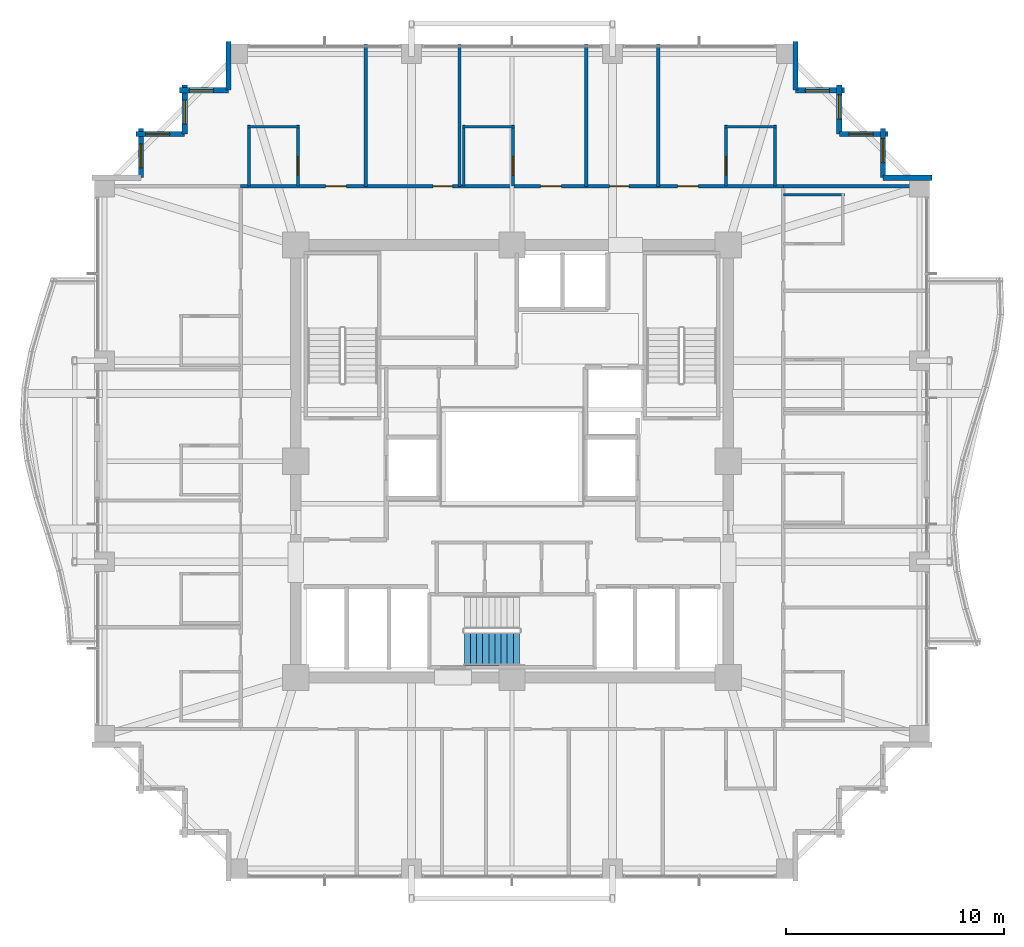
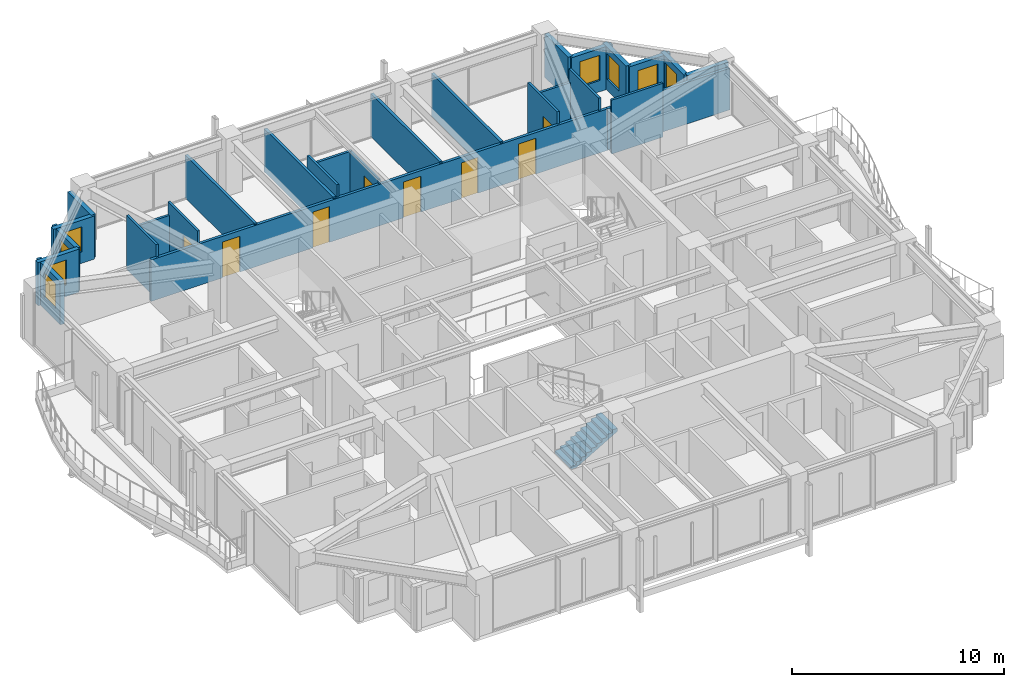
# One storey, part 34 of 37: 27 walls, 8 doors, 8 windows, 1 stair flight, 16 openings, 1 element without a shape of its own.
"""IFC4 building model written with IfcOpenShell, lengths in metres."""

from ifc_helpers import new_model, si_unit, direction, frame, frame_2d, origin, place, context, subcontext, project, spatial, polyline, rectangle, outline, extrude, material, layer, layer_set, type_object, element, fill, aggregate, save


model = new_model("IFC4")

# Units and contexts
model_context = context("Model", 3, precision=1e-05, world=origin(), true_north=direction((0.0, 1.0)))
body_context = subcontext(model_context, "Body", "Model", "MODEL_VIEW")
ifc_project = project(units=[si_unit("LENGTHUNIT", "METRE"), si_unit("AREAUNIT", "SQUARE_METRE"), si_unit("VOLUMEUNIT", "CUBIC_METRE"), si_unit("PLANEANGLEUNIT", "RADIAN"), si_unit("MASSUNIT", "GRAM", prefix="KILO")], contexts=[model_context])

# Site, building, storey
site_placement = place(None, origin())
site = spatial("IfcSite", under=ifc_project, at=site_placement, CompositionType="ELEMENT")
building_placement = place(site_placement, origin())
building = spatial("IfcBuilding", under=site, at=building_placement, Name="Kolvaren Belvedere", CompositionType="ELEMENT")
storey_placement = place(building_placement, frame((0.0, 0.0, 156.89990234375)))
storey = spatial("IfcBuildingStorey", under=building, at=storey_placement, Name="L45", CompositionType="ELEMENT", Elevation=156.89990234375)

# Wall, openings, doors
ifc_material_1 = material(Name="Gypsum fire-rated partition assembly", Category="gypsum")
ifc_layer_1 = layer(ifc_material_1, 0.14990234375)
ifc_layer_set_1 = layer_set([ifc_layer_1], Name="Gypsum fire-rated partition assembly")
wall_type_1 = type_object("IfcWallType", Name="WL-CORR-150", PredefinedType="PARTITIONING", material=ifc_layer_set_1)
wall_1_placement = place(storey_placement, frame((-12.419921875, 12.580078125, 0.0), z_axis=(0.0, 0.0, 1.0), x_axis=(1.0, 0.0, 0.0)))
wall_1 = element("IfcWall", 1, at=wall_1_placement, inside=storey, type_object=wall_type_1, Name="L45 North Corridor Wall", PredefinedType="PARTITIONING", context=body_context, shape_type="SweptSolid", body=[
    extrude(rectangle(XDim=24.83984375, YDim=0.14990234375, at=frame_2d((12.419921875, 0.0))), origin(), (0.0, 0.0, 1.0), 2.38916015625),
])
opening_1_placement = place(wall_1_placement, frame((3.89013671875, 0.0, 0.0)))
opening_1 = element("IfcOpeningElement", 2, at=opening_1_placement, cuts=wall_1, Name="Opening D-FD60", PredefinedType="OPENING", context=body_context, shape_type="SweptSolid", body=[
    extrude(rectangle(XDim=0.949951171875, YDim=2.06005859375, at=frame_2d((0.47509765625, 1.030029296875))), frame((0.0, 0.0849609375, 0.0), z_axis=(0.0, -1.0, 0.0), x_axis=(1.0, 0.0, 0.0)), (0.0, 0.0, 1.0), 0.169921875),
])
opening_2_placement = place(wall_1_placement, frame((8.8056640625, 0.0, 0.0)))
opening_2 = element("IfcOpeningElement", 3, at=opening_2_placement, cuts=wall_1, Name="Opening D-INT90", PredefinedType="OPENING", context=body_context, shape_type="SweptSolid", body=[
    extrude(rectangle(XDim=0.89990234375, YDim=2.06005859375, at=frame_2d((0.449951171875, 1.030029296875))), frame((0.0, 0.0849609375, 0.0), z_axis=(0.0, -1.0, 0.0), x_axis=(1.0, 0.0, 0.0)), (0.0, 0.0, 1.0), 0.169921875),
])
opening_3_placement = place(wall_1_placement, frame((13.724365234375, 0.0, 0.0)))
opening_3 = element("IfcOpeningElement", 4, at=opening_3_placement, cuts=wall_1, Name="Opening D-FD60", PredefinedType="OPENING", context=body_context, shape_type="SweptSolid", body=[
    extrude(rectangle(XDim=0.949951171875, YDim=2.06005859375, at=frame_2d((0.47509765625, 1.030029296875))), frame((0.0, 0.0849609375, 0.0), z_axis=(0.0, -1.0, 0.0), x_axis=(1.0, 0.0, 0.0)), (0.0, 0.0, 1.0), 0.169921875),
])
opening_4_placement = place(wall_1_placement, frame((16.88623046875, 0.0, 0.0)))
opening_4 = element("IfcOpeningElement", 5, at=opening_4_placement, cuts=wall_1, Name="Opening D-INT90", PredefinedType="OPENING", context=body_context, shape_type="SweptSolid", body=[
    extrude(rectangle(XDim=0.89990234375, YDim=2.06005859375, at=frame_2d((0.449951171875, 1.030029296875))), frame((0.0, 0.0849609375, 0.0), z_axis=(0.0, -1.0, 0.0), x_axis=(1.0, 0.0, 0.0)), (0.0, 0.0, 1.0), 0.169921875),
])
opening_5_placement = place(wall_1_placement, frame((20.0, 0.0, 0.0)))
opening_5 = element("IfcOpeningElement", 6, at=opening_5_placement, cuts=wall_1, Name="Opening D-FD60", PredefinedType="OPENING", context=body_context, shape_type="SweptSolid", body=[
    extrude(rectangle(XDim=0.949951171875, YDim=2.06005859375, at=frame_2d((0.47509765625, 1.030029296875))), frame((0.0, 0.0849609375, 0.0), z_axis=(0.0, -1.0, 0.0), x_axis=(1.0, 0.0, 0.0)), (0.0, 0.0, 1.0), 0.169921875),
])
ifc_material_2 = material(Name="Acoustic white-oak fire door leaf", Category="timber")
door_type_1 = type_object("IfcDoorType", Name="DR-FD60-950", OperationType="NOTDEFINED", PredefinedType="DOOR", material=ifc_material_2)
door_1_placement = place(opening_1_placement, origin())
door_1 = element("IfcDoor", 7, at=door_1_placement, inside=storey, type_object=door_type_1, Name="L45 King Guest Room 4514 Entry Door", OperationType="SINGLE_SWING_RIGHT", OverallHeight=2.06005859375, OverallWidth=0.949951171875, PredefinedType="DOOR", context=body_context, shape_type="SweptSolid", body=[
    extrude(rectangle(XDim=0.949951171875, YDim=2.06005859375, at=frame_2d((0.47509765625, 1.030029296875))), frame((0.0, 0.02490234375, 0.0), z_axis=(0.0, -1.0, 0.0), x_axis=(1.0, 0.0, 0.0)), (0.0, 0.0, 1.0), 0.050048828125),
])
fill(opening_1, door_1)
door_2_placement = place(opening_3_placement, origin())
door_2 = element("IfcDoor", 8, at=door_2_placement, inside=storey, type_object=door_type_1, Name="L45 King Guest Room 4516 Entry Door", OperationType="SINGLE_SWING_LEFT", OverallHeight=2.06005859375, OverallWidth=0.949951171875, PredefinedType="DOOR", context=body_context, shape_type="SweptSolid", body=[
    extrude(rectangle(XDim=0.949951171875, YDim=2.06005859375, at=frame_2d((0.47509765625, 1.030029296875))), frame((0.0, 0.02490234375, 0.0), z_axis=(0.0, -1.0, 0.0), x_axis=(1.0, 0.0, 0.0)), (0.0, 0.0, 1.0), 0.050048828125),
])
fill(opening_3, door_2)
door_3_placement = place(opening_5_placement, origin())
door_3 = element("IfcDoor", 9, at=door_3_placement, inside=storey, type_object=door_type_1, Name="L45 Botanical Hospitality Suite 4518 Entry Door", OperationType="SINGLE_SWING_RIGHT", OverallHeight=2.06005859375, OverallWidth=0.949951171875, PredefinedType="DOOR", context=body_context, shape_type="SweptSolid", body=[
    extrude(rectangle(XDim=0.949951171875, YDim=2.06005859375, at=frame_2d((0.47509765625, 1.030029296875))), frame((0.0, 0.02490234375, 0.0), z_axis=(0.0, -1.0, 0.0), x_axis=(1.0, 0.0, 0.0)), (0.0, 0.0, 1.0), 0.050048828125),
])
fill(opening_5, door_3)
ifc_material_3 = material(Name="Stained Pacific white oak", Category="timber")
door_type_2 = type_object("IfcDoorType", Name="DR-INT-900", OperationType="NOTDEFINED", PredefinedType="DOOR", material=ifc_material_3)
door_4_placement = place(opening_2_placement, origin())
door_4 = element("IfcDoor", 10, at=door_4_placement, inside=storey, type_object=door_type_2, Name="L45 Lounge 4515 Door", OperationType="SINGLE_SWING_LEFT", OverallHeight=2.06005859375, OverallWidth=0.89990234375, PredefinedType="DOOR", context=body_context, shape_type="SweptSolid", body=[
    extrude(rectangle(XDim=0.89990234375, YDim=2.06005859375, at=frame_2d((0.449951171875, 1.030029296875))), frame((0.0, 0.02490234375, 0.0), z_axis=(0.0, -1.0, 0.0), x_axis=(1.0, 0.0, 0.0)), (0.0, 0.0, 1.0), 0.050048828125),
])
fill(opening_2, door_4)
door_5_placement = place(opening_4_placement, origin())
door_5 = element("IfcDoor", 11, at=door_5_placement, inside=storey, type_object=door_type_2, Name="L45 Lounge 4517 Door", OperationType="SINGLE_SWING_RIGHT", OverallHeight=2.06005859375, OverallWidth=0.89990234375, PredefinedType="DOOR", context=body_context, shape_type="SweptSolid", body=[
    extrude(rectangle(XDim=0.89990234375, YDim=2.06005859375, at=frame_2d((0.449951171875, 1.030029296875))), frame((0.0, 0.02490234375, 0.0), z_axis=(0.0, -1.0, 0.0), x_axis=(1.0, 0.0, 0.0)), (0.0, 0.0, 1.0), 0.050048828125),
])
fill(opening_4, door_5)

# Wall
ifc_material_4 = material(Name="Insulated pale-metal facade wall assembly", Category="aluminium")
ifc_layer_2 = layer(ifc_material_4, 0.239990234375)
ifc_layer_set_2 = layer_set([ifc_layer_2], Name="Insulated pale-metal facade wall assembly")
wall_type_2 = type_object("IfcWallType", Name="WL-EXT-240", PredefinedType="STANDARD", material=ifc_layer_set_2)
wall_2_placement = place(storey_placement, frame((16.97998046875, 12.97998046875, 0.0), z_axis=(0.0, 0.0, 1.0), x_axis=(1.0, 0.0, 0.0)))
element("IfcWall", 12, at=wall_2_placement, inside=storey, type_object=wall_type_2, Name="L45 Serrated Corner Facade Wall 9", PredefinedType="STANDARD", context=body_context, shape_type="SweptSolid", body=[
    extrude(rectangle(XDim=2.239990234375, YDim=0.239990234375, at=frame_2d((1.1201171875, 0.0))), origin(), (0.0, 0.0, 1.0), 2.483154296875),
])

# Wall, opening, window
wall_3_placement = place(storey_placement, frame((16.97998046875, 15.219970703125, 0.0), z_axis=(0.0, 0.0, 1.0), x_axis=(0.0, -1.0, 0.0)))
wall_3 = element("IfcWall", 13, at=wall_3_placement, inside=storey, type_object=wall_type_2, Name="L45 Serrated Corner Facade Wall 10", PredefinedType="STANDARD", context=body_context, shape_type="SweptSolid", body=[
    extrude(rectangle(XDim=2.239990234375, YDim=0.239990234375, at=frame_2d((1.1201171875, 0.0))), origin(), (0.0, 0.0, 1.0), 2.483154296875),
])
opening_6_placement = place(wall_3_placement, frame((0.449951171875, 0.0, 0.64990234375)))
opening_6 = element("IfcOpeningElement", 14, at=opening_6_placement, cuts=wall_3, Name="Opening W-1100", PredefinedType="OPENING", context=body_context, shape_type="SweptSolid", body=[
    extrude(rectangle(XDim=1.10009765625, YDim=1.449951171875, at=frame_2d((0.550048828125, 0.72509765625))), frame((0.0, 0.1298828125, 0.0), z_axis=(0.0, -1.0, 0.0), x_axis=(1.0, 0.0, 0.0)), (0.0, 0.0, 1.0), 0.260009765625),
])
ifc_material_5 = material(Name="Low-iron triple insulated glass", Category="glass")
window_type = type_object("IfcWindowType", Name="WN-CORN-1100", PartitioningType="SINGLE_PANEL", PredefinedType="WINDOW", material=ifc_material_5)
window_1_placement = place(opening_6_placement, origin())
window_1 = element("IfcWindow", 15, at=window_1_placement, inside=storey, type_object=window_type, Name="L45 Serrated Corner Vision Window 10", OverallHeight=1.449951171875, OverallWidth=1.10009765625, PartitioningType="SINGLE_PANEL", PredefinedType="WINDOW", context=body_context, shape_type="SweptSolid", body=[
    extrude(rectangle(XDim=1.10009765625, YDim=1.449951171875, at=frame_2d((0.550048828125, 0.72509765625))), frame((0.0, 0.030029296875, 0.0), z_axis=(0.0, -1.0, 0.0), x_axis=(1.0, 0.0, 0.0)), (0.0, 0.0, 1.0), 0.06005859375),
])
fill(opening_6, window_1)

wall_4_placement = place(storey_placement, frame((14.97998046875, 14.97998046875, 0.0), z_axis=(0.0, 0.0, 1.0), x_axis=(1.0, 0.0, 0.0)))
wall_4 = element("IfcWall", 16, at=wall_4_placement, inside=storey, type_object=wall_type_2, Name="L45 Serrated Corner Facade Wall 11", PredefinedType="STANDARD", context=body_context, shape_type="SweptSolid", body=[
    extrude(rectangle(XDim=2.239990234375, YDim=0.239990234375, at=frame_2d((1.1201171875, 0.0))), origin(), (0.0, 0.0, 1.0), 2.483154296875),
])
opening_7_placement = place(wall_4_placement, frame((0.449951171875, 0.0, 0.64990234375)))
opening_7 = element("IfcOpeningElement", 17, at=opening_7_placement, cuts=wall_4, Name="Opening W-1100", PredefinedType="OPENING", context=body_context, shape_type="SweptSolid", body=[
    extrude(rectangle(XDim=1.10009765625, YDim=1.449951171875, at=frame_2d((0.550048828125, 0.72509765625))), frame((0.0, 0.1298828125, 0.0), z_axis=(0.0, -1.0, 0.0), x_axis=(1.0, 0.0, 0.0)), (0.0, 0.0, 1.0), 0.260009765625),
])
window_2_placement = place(opening_7_placement, origin())
window_2 = element("IfcWindow", 18, at=window_2_placement, inside=storey, type_object=window_type, Name="L45 Serrated Corner Vision Window 11", OverallHeight=1.449951171875, OverallWidth=1.10009765625, PartitioningType="SINGLE_PANEL", PredefinedType="WINDOW", context=body_context, shape_type="SweptSolid", body=[
    extrude(rectangle(XDim=1.10009765625, YDim=1.449951171875, at=frame_2d((0.550048828125, 0.72509765625))), frame((0.0, 0.030029296875, 0.0), z_axis=(0.0, -1.0, 0.0), x_axis=(1.0, 0.0, 0.0)), (0.0, 0.0, 1.0), 0.06005859375),
])
fill(opening_7, window_2)

wall_5_placement = place(storey_placement, frame((14.97998046875, 17.219970703125, 0.0), z_axis=(0.0, 0.0, 1.0), x_axis=(0.0, -1.0, 0.0)))
wall_5 = element("IfcWall", 19, at=wall_5_placement, inside=storey, type_object=wall_type_2, Name="L45 Serrated Corner Facade Wall 12", PredefinedType="STANDARD", context=body_context, shape_type="SweptSolid", body=[
    extrude(rectangle(XDim=2.239990234375, YDim=0.239990234375, at=frame_2d((1.1201171875, 0.0))), origin(), (0.0, 0.0, 1.0), 2.483154296875),
])
opening_8_placement = place(wall_5_placement, frame((0.449951171875, 0.0, 0.64990234375)))
opening_8 = element("IfcOpeningElement", 20, at=opening_8_placement, cuts=wall_5, Name="Opening W-1100", PredefinedType="OPENING", context=body_context, shape_type="SweptSolid", body=[
    extrude(rectangle(XDim=1.10009765625, YDim=1.449951171875, at=frame_2d((0.550048828125, 0.72509765625))), frame((0.0, 0.1298828125, 0.0), z_axis=(0.0, -1.0, 0.0), x_axis=(1.0, 0.0, 0.0)), (0.0, 0.0, 1.0), 0.260009765625),
])
window_3_placement = place(opening_8_placement, origin())
window_3 = element("IfcWindow", 21, at=window_3_placement, inside=storey, type_object=window_type, Name="L45 Serrated Corner Vision Window 12", OverallHeight=1.449951171875, OverallWidth=1.10009765625, PartitioningType="SINGLE_PANEL", PredefinedType="WINDOW", context=body_context, shape_type="SweptSolid", body=[
    extrude(rectangle(XDim=1.10009765625, YDim=1.449951171875, at=frame_2d((0.550048828125, 0.72509765625))), frame((0.0, 0.030029296875, 0.0), z_axis=(0.0, -1.0, 0.0), x_axis=(1.0, 0.0, 0.0)), (0.0, 0.0, 1.0), 0.06005859375),
])
fill(opening_8, window_3)

wall_6_placement = place(storey_placement, frame((12.97998046875, 16.97998046875, 0.0), z_axis=(0.0, 0.0, 1.0), x_axis=(1.0, 0.0, 0.0)))
wall_6 = element("IfcWall", 22, at=wall_6_placement, inside=storey, type_object=wall_type_2, Name="L45 Serrated Corner Facade Wall 13", PredefinedType="STANDARD", context=body_context, shape_type="SweptSolid", body=[
    extrude(rectangle(XDim=2.239990234375, YDim=0.239990234375, at=frame_2d((1.1201171875, 0.0))), origin(), (0.0, 0.0, 1.0), 2.483154296875),
])
opening_9_placement = place(wall_6_placement, frame((0.449951171875, 0.0, 0.64990234375)))
opening_9 = element("IfcOpeningElement", 23, at=opening_9_placement, cuts=wall_6, Name="Opening W-1100", PredefinedType="OPENING", context=body_context, shape_type="SweptSolid", body=[
    extrude(rectangle(XDim=1.10009765625, YDim=1.449951171875, at=frame_2d((0.550048828125, 0.72509765625))), frame((0.0, 0.1298828125, 0.0), z_axis=(0.0, -1.0, 0.0), x_axis=(1.0, 0.0, 0.0)), (0.0, 0.0, 1.0), 0.260009765625),
])
window_4_placement = place(opening_9_placement, origin())
window_4 = element("IfcWindow", 24, at=window_4_placement, inside=storey, type_object=window_type, Name="L45 Serrated Corner Vision Window 13", OverallHeight=1.449951171875, OverallWidth=1.10009765625, PartitioningType="SINGLE_PANEL", PredefinedType="WINDOW", context=body_context, shape_type="SweptSolid", body=[
    extrude(rectangle(XDim=1.10009765625, YDim=1.449951171875, at=frame_2d((0.550048828125, 0.72509765625))), frame((0.0, 0.030029296875, 0.0), z_axis=(0.0, -1.0, 0.0), x_axis=(1.0, 0.0, 0.0)), (0.0, 0.0, 1.0), 0.06005859375),
])
fill(opening_9, window_4)

# Walls
for number, where, z_axis, x_axis, name in (
    (25, (12.97998046875, 19.219970703125, 0.0), (0.0, 0.0, 1.0), (0.0, -1.0, 0.0), "L45 Serrated Corner Facade Wall 14"),
    (26, (-12.97998046875, 16.97998046875, 0.0), (0.0, 0.0, 1.0), (0.0, 1.0, 0.0), "L45 Serrated Corner Facade Wall 16"),
):
    element("IfcWall", number, at=place(storey_placement, frame(where, z_axis=z_axis, x_axis=x_axis)), inside=storey, type_object=wall_type_2, Name=name, PredefinedType="STANDARD", context=body_context, shape_type="SweptSolid", body=[
        extrude(rectangle(XDim=2.239990234375, YDim=0.239990234375, at=frame_2d((1.1201171875, 0.0))), origin(), (0.0, 0.0, 1.0), 2.483154296875),
    ])

# Wall, opening, window
wall_7_placement = place(storey_placement, frame((-15.219970703125, 16.97998046875, 0.0), z_axis=(0.0, 0.0, 1.0), x_axis=(1.0, 0.0, 0.0)))
wall_7 = element("IfcWall", 27, at=wall_7_placement, inside=storey, type_object=wall_type_2, Name="L45 Serrated Corner Facade Wall 17", PredefinedType="STANDARD", context=body_context, shape_type="SweptSolid", body=[
    extrude(rectangle(XDim=2.239990234375, YDim=0.239990234375, at=frame_2d((1.1201171875, 0.0))), origin(), (0.0, 0.0, 1.0), 2.483154296875),
])
opening_10_placement = place(wall_7_placement, frame((0.449951171875, 0.0, 0.64990234375)))
opening_10 = element("IfcOpeningElement", 28, at=opening_10_placement, cuts=wall_7, Name="Opening W-1100", PredefinedType="OPENING", context=body_context, shape_type="SweptSolid", body=[
    extrude(rectangle(XDim=1.10009765625, YDim=1.449951171875, at=frame_2d((0.550048828125, 0.72509765625))), frame((0.0, 0.1298828125, 0.0), z_axis=(0.0, -1.0, 0.0), x_axis=(1.0, 0.0, 0.0)), (0.0, 0.0, 1.0), 0.260009765625),
])
window_5_placement = place(opening_10_placement, origin())
window_5 = element("IfcWindow", 29, at=window_5_placement, inside=storey, type_object=window_type, Name="L45 Serrated Corner Vision Window 17", OverallHeight=1.449951171875, OverallWidth=1.10009765625, PartitioningType="SINGLE_PANEL", PredefinedType="WINDOW", context=body_context, shape_type="SweptSolid", body=[
    extrude(rectangle(XDim=1.10009765625, YDim=1.449951171875, at=frame_2d((0.550048828125, 0.72509765625))), frame((0.0, 0.030029296875, 0.0), z_axis=(0.0, -1.0, 0.0), x_axis=(1.0, 0.0, 0.0)), (0.0, 0.0, 1.0), 0.06005859375),
])
fill(opening_10, window_5)

wall_8_placement = place(storey_placement, frame((-14.97998046875, 14.97998046875, 0.0), z_axis=(0.0, 0.0, 1.0), x_axis=(0.0, 1.0, 0.0)))
wall_8 = element("IfcWall", 30, at=wall_8_placement, inside=storey, type_object=wall_type_2, Name="L45 Serrated Corner Facade Wall 18", PredefinedType="STANDARD", context=body_context, shape_type="SweptSolid", body=[
    extrude(rectangle(XDim=2.239990234375, YDim=0.239990234375, at=frame_2d((1.1201171875, 0.0))), origin(), (0.0, 0.0, 1.0), 2.483154296875),
])
opening_11_placement = place(wall_8_placement, frame((0.449951171875, 0.0, 0.64990234375)))
opening_11 = element("IfcOpeningElement", 31, at=opening_11_placement, cuts=wall_8, Name="Opening W-1100", PredefinedType="OPENING", context=body_context, shape_type="SweptSolid", body=[
    extrude(rectangle(XDim=1.10009765625, YDim=1.449951171875, at=frame_2d((0.550048828125, 0.72509765625))), frame((0.0, 0.1298828125, 0.0), z_axis=(0.0, -1.0, 0.0), x_axis=(1.0, 0.0, 0.0)), (0.0, 0.0, 1.0), 0.260009765625),
])
window_6_placement = place(opening_11_placement, origin())
window_6 = element("IfcWindow", 32, at=window_6_placement, inside=storey, type_object=window_type, Name="L45 Serrated Corner Vision Window 18", OverallHeight=1.449951171875, OverallWidth=1.10009765625, PartitioningType="SINGLE_PANEL", PredefinedType="WINDOW", context=body_context, shape_type="SweptSolid", body=[
    extrude(rectangle(XDim=1.10009765625, YDim=1.449951171875, at=frame_2d((0.550048828125, 0.72509765625))), frame((0.0, 0.030029296875, 0.0), z_axis=(0.0, -1.0, 0.0), x_axis=(1.0, 0.0, 0.0)), (0.0, 0.0, 1.0), 0.06005859375),
])
fill(opening_11, window_6)

wall_9_placement = place(storey_placement, frame((-17.219970703125, 14.97998046875, 0.0), z_axis=(0.0, 0.0, 1.0), x_axis=(1.0, 0.0, 0.0)))
wall_9 = element("IfcWall", 33, at=wall_9_placement, inside=storey, type_object=wall_type_2, Name="L45 Serrated Corner Facade Wall 19", PredefinedType="STANDARD", context=body_context, shape_type="SweptSolid", body=[
    extrude(rectangle(XDim=2.239990234375, YDim=0.239990234375, at=frame_2d((1.1201171875, 0.0))), origin(), (0.0, 0.0, 1.0), 2.483154296875),
])
opening_12_placement = place(wall_9_placement, frame((0.449951171875, 0.0, 0.64990234375)))
opening_12 = element("IfcOpeningElement", 34, at=opening_12_placement, cuts=wall_9, Name="Opening W-1100", PredefinedType="OPENING", context=body_context, shape_type="SweptSolid", body=[
    extrude(rectangle(XDim=1.10009765625, YDim=1.449951171875, at=frame_2d((0.550048828125, 0.72509765625))), frame((0.0, 0.1298828125, 0.0), z_axis=(0.0, -1.0, 0.0), x_axis=(1.0, 0.0, 0.0)), (0.0, 0.0, 1.0), 0.260009765625),
])
window_7_placement = place(opening_12_placement, origin())
window_7 = element("IfcWindow", 35, at=window_7_placement, inside=storey, type_object=window_type, Name="L45 Serrated Corner Vision Window 19", OverallHeight=1.449951171875, OverallWidth=1.10009765625, PartitioningType="SINGLE_PANEL", PredefinedType="WINDOW", context=body_context, shape_type="SweptSolid", body=[
    extrude(rectangle(XDim=1.10009765625, YDim=1.449951171875, at=frame_2d((0.550048828125, 0.72509765625))), frame((0.0, 0.030029296875, 0.0), z_axis=(0.0, -1.0, 0.0), x_axis=(1.0, 0.0, 0.0)), (0.0, 0.0, 1.0), 0.06005859375),
])
fill(opening_12, window_7)

wall_10_placement = place(storey_placement, frame((-16.97998046875, 12.97998046875, 0.0), z_axis=(0.0, 0.0, 1.0), x_axis=(0.0, 1.0, 0.0)))
wall_10 = element("IfcWall", 36, at=wall_10_placement, inside=storey, type_object=wall_type_2, Name="L45 Serrated Corner Facade Wall 20", PredefinedType="STANDARD", context=body_context, shape_type="SweptSolid", body=[
    extrude(rectangle(XDim=2.239990234375, YDim=0.239990234375, at=frame_2d((1.1201171875, 0.0))), origin(), (0.0, 0.0, 1.0), 2.483154296875),
])
opening_13_placement = place(wall_10_placement, frame((0.449951171875, 0.0, 0.64990234375)))
opening_13 = element("IfcOpeningElement", 37, at=opening_13_placement, cuts=wall_10, Name="Opening W-1100", PredefinedType="OPENING", context=body_context, shape_type="SweptSolid", body=[
    extrude(rectangle(XDim=1.10009765625, YDim=1.449951171875, at=frame_2d((0.550048828125, 0.72509765625))), frame((0.0, 0.1298828125, 0.0), z_axis=(0.0, -1.0, 0.0), x_axis=(1.0, 0.0, 0.0)), (0.0, 0.0, 1.0), 0.260009765625),
])
window_8_placement = place(opening_13_placement, origin())
window_8 = element("IfcWindow", 38, at=window_8_placement, inside=storey, type_object=window_type, Name="L45 Serrated Corner Vision Window 20", OverallHeight=1.449951171875, OverallWidth=1.10009765625, PartitioningType="SINGLE_PANEL", PredefinedType="WINDOW", context=body_context, shape_type="SweptSolid", body=[
    extrude(rectangle(XDim=1.10009765625, YDim=1.449951171875, at=frame_2d((0.550048828125, 0.72509765625))), frame((0.0, 0.030029296875, 0.0), z_axis=(0.0, -1.0, 0.0), x_axis=(1.0, 0.0, 0.0)), (0.0, 0.0, 1.0), 0.06005859375),
])
fill(opening_13, window_8)

# Walls
ifc_material_6 = material(Name="Gypsum acoustic partition assembly", Category="gypsum")
ifc_layer_3 = layer(ifc_material_6, 0.14990234375)
ifc_layer_set_3 = layer_set([ifc_layer_3], Name="Gypsum acoustic partition assembly")
wall_type_3 = type_object("IfcWallType", Name="WL-PART-150", PredefinedType="PARTITIONING", material=ifc_layer_set_3)
wall_11_placement = place(storey_placement, frame((12.419921875, 12.580078125, 0.0), z_axis=(0.0, 0.0, 1.0), x_axis=(1.0, 0.0, 0.0)))
element("IfcWall", 39, at=wall_11_placement, inside=storey, type_object=wall_type_3, Name="L45 Wing Divider PW-L45-QNE", PredefinedType="PARTITIONING", context=body_context, shape_type="SweptSolid", body=[
    extrude(rectangle(XDim=6.66015625, YDim=0.14990234375, at=frame_2d((3.330078125, 0.0))), origin(), (0.0, 0.0, 1.0), 2.38916015625),
])
for number, where, z_axis, x_axis, name in (
    (40, (-6.699951171875, 12.580078125, 0.0), (0.0, 0.0, 1.0), (0.0, 1.0, 0.0), "L45 North Suite Demising Wall 1"),
    (41, (-2.39990234375, 12.580078125, 0.0), (0.0, 0.0, 1.0), (0.0, 1.0, 0.0), "L45 North Suite Demising Wall 2"),
    (42, (3.39990234375, 12.580078125, 0.0), (0.0, 0.0, 1.0), (0.0, 1.0, 0.0), "L45 North Suite Demising Wall 3"),
    (43, (6.699951171875, 12.580078125, 0.0), (0.0, 0.0, 1.0), (0.0, 1.0, 0.0), "L45 North Suite Demising Wall 4"),
):
    element("IfcWall", number, at=place(storey_placement, frame(where, z_axis=z_axis, x_axis=x_axis)), inside=storey, type_object=wall_type_3, Name=name, PredefinedType="PARTITIONING", context=body_context, shape_type="SweptSolid", body=[
        extrude(rectangle(XDim=6.5, YDim=0.14990234375, at=frame_2d((3.25, 0.0))), origin(), (0.0, 0.0, 1.0), 2.47314453125),
    ])
ifc_material_7 = material(Name="Moisture-resistant gypsum partition", Category="gypsum")
ifc_layer_4 = layer(ifc_material_7, 0.125)
ifc_layer_set_4 = layer_set([ifc_layer_4], Name="Moisture-resistant gypsum partition")
wall_type_4 = type_object("IfcWallType", Name="WL-WET-125", PredefinedType="PARTITIONING", material=ifc_layer_set_4)
wall_12_placement = place(storey_placement, frame((12.43505859375, 12.200927734375, 0.0), z_axis=(0.0, 0.0, 1.0), x_axis=(1.0, 0.0, 0.0)))
element("IfcWall", 44, at=wall_12_placement, inside=storey, type_object=wall_type_4, Name="L45 Bathroom Partition PW-L45-BTH-9-S", PredefinedType="PARTITIONING", context=body_context, shape_type="SweptSolid", body=[
    extrude(rectangle(XDim=2.7900390625, YDim=0.125, at=frame_2d((1.39501953125, 0.0))), origin(), (0.0, 0.0, 1.0), 3.10009765625),
])

# Wall, opening, door
wall_13_placement = place(storey_placement, frame((-9.791015625, 12.594970703125, 0.0), z_axis=(0.0, 0.0, 1.0), x_axis=(0.0, 1.0, 0.0)))
wall_13 = element("IfcWall", 45, at=wall_13_placement, inside=storey, type_object=wall_type_4, Name="L45 Bathroom Partition PW-L45-BTH-14-E", PredefinedType="PARTITIONING", context=body_context, shape_type="SweptSolid", body=[
    extrude(rectangle(XDim=2.7900390625, YDim=0.125, at=frame_2d((1.39501953125, 0.0))), origin(), (0.0, 0.0, 1.0), 3.10009765625),
])
opening_14_placement = place(wall_13_placement, frame((0.5, 0.0, 0.0)))
opening_14 = element("IfcOpeningElement", 46, at=opening_14_placement, cuts=wall_13, Name="Opening D-BTH85", PredefinedType="OPENING", context=body_context, shape_type="SweptSolid", body=[
    extrude(rectangle(XDim=0.85009765625, YDim=2.030029296875, at=frame_2d((0.425048828125, 1.01513671875))), frame((0.0, 0.072509765625, 0.0), z_axis=(0.0, -1.0, 0.0), x_axis=(1.0, 0.0, 0.0)), (0.0, 0.0, 1.0), 0.14501953125),
])
ifc_material_8 = material(Name="Moisture-sealed Pacific white oak", Category="timber")
door_type_3 = type_object("IfcDoorType", Name="DR-BATH-850", OperationType="NOTDEFINED", PredefinedType="DOOR", material=ifc_material_8)
door_6_placement = place(opening_14_placement, origin())
door_6 = element("IfcDoor", 47, at=door_6_placement, inside=storey, type_object=door_type_3, Name="L45 En-Suite Bathroom 4514 Door", OperationType="SINGLE_SWING_LEFT", OverallHeight=2.030029296875, OverallWidth=0.85009765625, PredefinedType="DOOR", context=body_context, shape_type="SweptSolid", body=[
    extrude(rectangle(XDim=0.85009765625, YDim=2.030029296875, at=frame_2d((0.425048828125, 1.01513671875))), frame((0.0, 0.02490234375, 0.0), z_axis=(0.0, -1.0, 0.0), x_axis=(1.0, 0.0, 0.0)), (0.0, 0.0, 1.0), 0.050048828125),
])
fill(opening_14, door_6)

# Walls
wall_14_placement = place(storey_placement, frame((-12.10107421875, 15.304931640625, 0.0), z_axis=(0.0, 0.0, 1.0), x_axis=(1.0, 0.0, 0.0)))
element("IfcWall", 48, at=wall_14_placement, inside=storey, type_object=wall_type_4, Name="L45 Bathroom Partition PW-L45-BTH-14-H", PredefinedType="PARTITIONING", context=body_context, shape_type="SweptSolid", body=[
    extrude(rectangle(XDim=2.3701171875, YDim=0.125, at=frame_2d((1.18505859375, 0.0))), origin(), (0.0, 0.0, 1.0), 2.38916015625),
])
wall_15_placement = place(storey_placement, frame((-12.041015625, 12.594970703125, 0.0), z_axis=(0.0, 0.0, 1.0), x_axis=(0.0, 1.0, 0.0)))
element("IfcWall", 49, at=wall_15_placement, inside=storey, type_object=wall_type_4, Name="L45 Bathroom Partition PW-L45-BTH-14-W", PredefinedType="PARTITIONING", context=body_context, shape_type="SweptSolid", body=[
    extrude(rectangle(XDim=2.7900390625, YDim=0.125, at=frame_2d((1.39501953125, 0.0))), origin(), (0.0, 0.0, 1.0), 3.10009765625),
])

# Wall, opening, door
wall_16_placement = place(storey_placement, frame((0.044921875, 12.594970703125, 0.0), z_axis=(0.0, 0.0, 1.0), x_axis=(0.0, 1.0, 0.0)))
wall_16 = element("IfcWall", 50, at=wall_16_placement, inside=storey, type_object=wall_type_4, Name="L45 Bathroom Partition PW-L45-BTH-16-E", PredefinedType="PARTITIONING", context=body_context, shape_type="SweptSolid", body=[
    extrude(rectangle(XDim=2.7900390625, YDim=0.125, at=frame_2d((1.39501953125, 0.0))), origin(), (0.0, 0.0, 1.0), 2.625),
])
opening_15_placement = place(wall_16_placement, frame((0.5, 0.0, 0.0)))
opening_15 = element("IfcOpeningElement", 51, at=opening_15_placement, cuts=wall_16, Name="Opening D-BTH85", PredefinedType="OPENING", context=body_context, shape_type="SweptSolid", body=[
    extrude(rectangle(XDim=0.85009765625, YDim=2.030029296875, at=frame_2d((0.425048828125, 1.01513671875))), frame((0.0, 0.072509765625, 0.0), z_axis=(0.0, -1.0, 0.0), x_axis=(1.0, 0.0, 0.0)), (0.0, 0.0, 1.0), 0.14501953125),
])
door_7_placement = place(opening_15_placement, origin())
door_7 = element("IfcDoor", 52, at=door_7_placement, inside=storey, type_object=door_type_3, Name="L45 En-Suite Bathroom 4516 Door", OperationType="SINGLE_SWING_RIGHT", OverallHeight=2.030029296875, OverallWidth=0.85009765625, PredefinedType="DOOR", context=body_context, shape_type="SweptSolid", body=[
    extrude(rectangle(XDim=0.85009765625, YDim=2.030029296875, at=frame_2d((0.425048828125, 1.01513671875))), frame((0.0, 0.02490234375, 0.0), z_axis=(0.0, -1.0, 0.0), x_axis=(1.0, 0.0, 0.0)), (0.0, 0.0, 1.0), 0.050048828125),
])
fill(opening_15, door_7)

# Walls
wall_17_placement = place(storey_placement, frame((-2.264892578125, 15.304931640625, 0.0), z_axis=(0.0, 0.0, 1.0), x_axis=(1.0, 0.0, 0.0)))
element("IfcWall", 53, at=wall_17_placement, inside=storey, type_object=wall_type_4, Name="L45 Bathroom Partition PW-L45-BTH-16-H", PredefinedType="PARTITIONING", context=body_context, shape_type="SweptSolid", body=[
    extrude(rectangle(XDim=2.369873046875, YDim=0.125, at=frame_2d((1.18505859375, 0.0))), origin(), (0.0, 0.0, 1.0), 2.625),
])
wall_18_placement = place(storey_placement, frame((-2.205078125, 12.594970703125, 0.0), z_axis=(0.0, 0.0, 1.0), x_axis=(0.0, 1.0, 0.0)))
element("IfcWall", 54, at=wall_18_placement, inside=storey, type_object=wall_type_4, Name="L45 Bathroom Partition PW-L45-BTH-16-W", PredefinedType="PARTITIONING", context=body_context, shape_type="SweptSolid", body=[
    extrude(rectangle(XDim=2.7900390625, YDim=0.125, at=frame_2d((1.39501953125, 0.0))), origin(), (0.0, 0.0, 1.0), 3.10009765625),
])

# Wall, opening, door
wall_19_placement = place(storey_placement, frame((9.791015625, 12.594970703125, 0.0), z_axis=(0.0, 0.0, 1.0), x_axis=(0.0, 1.0, 0.0)))
wall_19 = element("IfcWall", 55, at=wall_19_placement, inside=storey, type_object=wall_type_4, Name="L45 Bathroom Partition PW-L45-BTH-18-E", PredefinedType="PARTITIONING", context=body_context, shape_type="SweptSolid", body=[
    extrude(rectangle(XDim=2.7900390625, YDim=0.125, at=frame_2d((1.39501953125, 0.0))), origin(), (0.0, 0.0, 1.0), 3.10009765625),
])
opening_16_placement = place(wall_19_placement, frame((0.5, 0.0, 0.0)))
opening_16 = element("IfcOpeningElement", 56, at=opening_16_placement, cuts=wall_19, Name="Opening D-BTH85", PredefinedType="OPENING", context=body_context, shape_type="SweptSolid", body=[
    extrude(rectangle(XDim=0.85009765625, YDim=2.030029296875, at=frame_2d((0.425048828125, 1.01513671875))), frame((0.0, 0.072509765625, 0.0), z_axis=(0.0, -1.0, 0.0), x_axis=(1.0, 0.0, 0.0)), (0.0, 0.0, 1.0), 0.14501953125),
])
door_8_placement = place(opening_16_placement, origin())
door_8 = element("IfcDoor", 57, at=door_8_placement, inside=storey, type_object=door_type_3, Name="L45 En-Suite Bathroom 4518 Door", OperationType="SINGLE_SWING_LEFT", OverallHeight=2.030029296875, OverallWidth=0.85009765625, PredefinedType="DOOR", context=body_context, shape_type="SweptSolid", body=[
    extrude(rectangle(XDim=0.85009765625, YDim=2.030029296875, at=frame_2d((0.425048828125, 1.01513671875))), frame((0.0, 0.02490234375, 0.0), z_axis=(0.0, -1.0, 0.0), x_axis=(1.0, 0.0, 0.0)), (0.0, 0.0, 1.0), 0.050048828125),
])
fill(opening_16, door_8)

# Walls
wall_20_placement = place(storey_placement, frame((9.73095703125, 15.304931640625, 0.0), z_axis=(0.0, 0.0, 1.0), x_axis=(1.0, 0.0, 0.0)))
element("IfcWall", 58, at=wall_20_placement, inside=storey, type_object=wall_type_4, Name="L45 Bathroom Partition PW-L45-BTH-18-H", PredefinedType="PARTITIONING", context=body_context, shape_type="SweptSolid", body=[
    extrude(rectangle(XDim=2.3701171875, YDim=0.125, at=frame_2d((1.18505859375, 0.0))), origin(), (0.0, 0.0, 1.0), 2.38916015625),
])
wall_21_placement = place(storey_placement, frame((12.041015625, 12.594970703125, 0.0), z_axis=(0.0, 0.0, 1.0), x_axis=(0.0, 1.0, 0.0)))
element("IfcWall", 59, at=wall_21_placement, inside=storey, type_object=wall_type_4, Name="L45 Bathroom Partition PW-L45-BTH-18-W", PredefinedType="PARTITIONING", context=body_context, shape_type="SweptSolid", body=[
    extrude(rectangle(XDim=2.7900390625, YDim=0.125, at=frame_2d((1.39501953125, 0.0))), origin(), (0.0, 0.0, 1.0), 3.10009765625),
])

# Stair, stair flight
ifc_material_9 = material(Name="Concrete C50/60", Category="concrete")
stair_type = type_object("IfcStairType", Name="ST-CORE-1520", PredefinedType="HALF_TURN_STAIR", material=ifc_material_9)
stair_placement = place(storey_placement, origin())
stair = element("IfcStair", 60, at=stair_placement, inside=storey, type_object=stair_type, Name="L45 Protected Exit Stair ST-3", PredefinedType="HALF_TURN_STAIR")
ifc_material_10 = material(Name="Concrete C50/60", Category="concrete")
stair_flight_type = type_object("IfcStairFlightType", Name="SF-STR-1520", PredefinedType="STRAIGHT", material=ifc_material_10)
stair_flight_placement = place(storey_placement, frame((-2.179931640625, -8.590087890625, 0.0), z_axis=(0.0, 0.0, 1.0), x_axis=(1.0, 0.0, 0.0)))
stair_flight = element("IfcStairFlight", 61, at=stair_flight_placement, type_object=stair_flight_type, Name="ST-3 flight 1", NumberOfRisers=10, NumberOfTreads=9, PredefinedType="STRAIGHT", RiserHeight=0.165, TreadLength=0.28, context=body_context, shape_type="SweptSolid", body=[
    extrude(outline(polyline([(0.0, 0.0), (0.0, 0.1650390625), (0.280029296875, 0.1650390625), (0.280029296875, 0.330078125), (0.56005859375, 0.330078125), (0.56005859375, 0.4951171875), (0.840087890625, 0.4951171875), (0.840087890625, 0.659912109375), (1.1201171875, 0.659912109375), (1.1201171875, 0.824951171875), (1.39990234375, 0.824951171875), (1.39990234375, 0.989990234375), (1.679931640625, 0.989990234375), (1.679931640625, 1.155029296875), (1.9599609375, 1.155029296875), (1.9599609375, 1.320068359375), (2.239990234375, 1.320068359375), (2.239990234375, 1.485107421875), (2.52001953125, 1.485107421875), (2.52001953125, 1.64990234375), (2.52001953125, 1.31103515625), (0.295166015625, 0.0), (0.0, 0.0)])), frame((0.0, 0.760009765625, 0.0), z_axis=(0.0, -1.0, 0.0), x_axis=(1.0, 0.0, 0.0)), (0.0, 0.0, 1.0), 1.52001953125),
])
aggregate(stair, [stair_flight])

save(model, "model.ifc")
